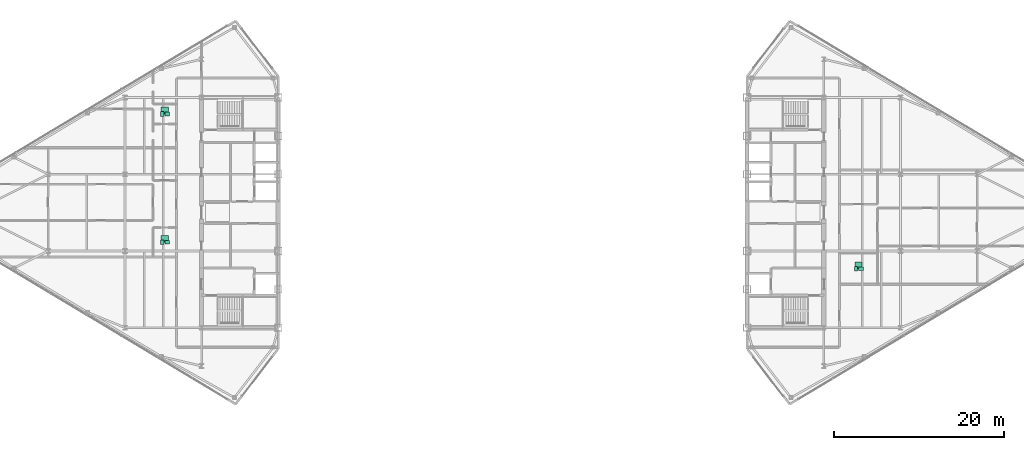
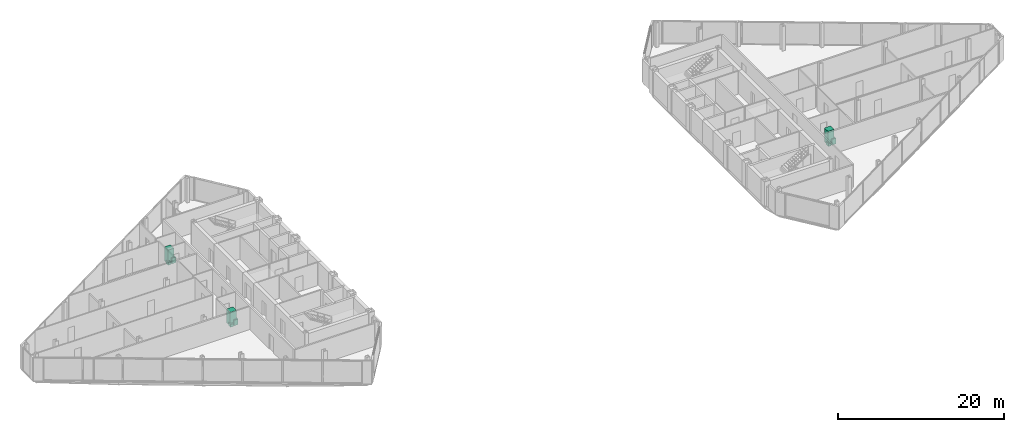
# One storey, part 25 of 25: 9 sanitary terminals.
"""IFC4 building model written with IfcOpenShell, lengths in metres."""

from ifc_helpers import new_model, si_unit, direction, frame, origin, origin_2d, place, context, subcontext, project, spatial, rectangle, extrude, source, transform, mapped, material, type_object, type_shapes, element, save


model = new_model("IFC4")

# Units and contexts
model_context = context("Model", 3, precision=1e-05, world=origin(), true_north=direction((0.0, 1.0)))
body_context = subcontext(model_context, "Body", "Model", "MODEL_VIEW")
ifc_project = project(units=[si_unit("LENGTHUNIT", "METRE"), si_unit("AREAUNIT", "SQUARE_METRE"), si_unit("VOLUMEUNIT", "CUBIC_METRE"), si_unit("PLANEANGLEUNIT", "RADIAN"), si_unit("MASSUNIT", "GRAM", prefix="KILO")], contexts=[model_context])

# Site, building, storey
site_placement = place(None, origin())
site = spatial("IfcSite", under=ifc_project, at=site_placement, CompositionType="ELEMENT")
building_placement = place(site_placement, origin())
building = spatial("IfcBuilding", under=site, at=building_placement, Name="Seokmaru Belvedere", CompositionType="ELEMENT")
storey_placement = place(building_placement, frame((0.0, 0.0, 213.89990234375)))
storey = spatial("IfcBuildingStorey", under=building, at=storey_placement, Name="L57", CompositionType="ELEMENT", Elevation=213.89990234375)

# Sanitary terminals
ifc_material_1 = material(Name="Vitreous China Sanitaryware")
sanitary_terminal_type_1 = type_object("IfcSanitaryTerminalType", Name="Wall-Hung Vitreous China WC Pan", PredefinedType="TOILETPAN", material=ifc_material_1)
shared_shape_1 = source(origin(), body_context, "Body", "SweptSolid", [
    extrude(rectangle(XDim=0.3798828125, YDim=0.56005859375, at=origin_2d()), origin(), (0.0, 0.0, 1.0), 0.419921875),
])
type_shapes(sanitary_terminal_type_1, [shared_shape_1])
for number, where, z_axis, x_axis, name in (
    (1, (-41.125, -3.472900390625, 0.000244140625), (0.0, 0.0, 1.0), (1.0, 0.0, 0.0), "L57 Vitreous China WC 0265"),
    (2, (-41.125, 11.570068359375, 0.000244140625), (0.0, 0.0, 1.0), (1.0, 0.0, 0.0), "L57 Vitreous China WC 0266"),
    (3, (40.27490234375, -6.592041015625, 0.000244140625), (0.0, 0.0, 1.0), (1.0, 0.0, 0.0), "L57 Vitreous China WC 0267"),
):
    element("IfcSanitaryTerminal", number, at=place(storey_placement, frame(where, z_axis=z_axis, x_axis=x_axis)), inside=storey, type_object=sanitary_terminal_type_1, Name=name, PredefinedType="TOILETPAN", context=body_context, shape_type="MappedRepresentation", body=[
        mapped(shared_shape_1, transform((0.0, 0.0, 0.0), scale=1.0)),
    ])
sanitary_terminal_type_2 = type_object("IfcSanitaryTerminalType", Name="Countertop Ceramic Washhand Basin", PredefinedType="WASHHANDBASIN", material=ifc_material_1)
shared_shape_2 = source(origin(), body_context, "Body", "SweptSolid", [
    extrude(rectangle(XDim=0.550048828125, YDim=0.449951171875, at=origin_2d()), origin(), (0.0, 0.0, 1.0), 0.820068359375),
])
type_shapes(sanitary_terminal_type_2, [shared_shape_2])
for number, where, z_axis, x_axis, name in (
    (4, (-40.52490234375, -3.472900390625, 0.0), (0.0, 0.0, 1.0), (1.0, 0.0, 0.0), "L57 Ceramic Washhand Basin 0265"),
    (5, (-40.52490234375, 11.570068359375, 0.0), (0.0, 0.0, 1.0), (1.0, 0.0, 0.0), "L57 Ceramic Washhand Basin 0266"),
    (6, (40.875, -6.592041015625, 0.0), (0.0, 0.0, 1.0), (1.0, 0.0, 0.0), "L57 Ceramic Washhand Basin 0267"),
):
    element("IfcSanitaryTerminal", number, at=place(storey_placement, frame(where, z_axis=z_axis, x_axis=x_axis)), inside=storey, type_object=sanitary_terminal_type_2, Name=name, PredefinedType="WASHHANDBASIN", context=body_context, shape_type="MappedRepresentation", body=[
        mapped(shared_shape_2, transform((0.0, 0.0, 0.0), scale=1.0)),
    ])
ifc_material_2 = material(Name="Stainless Steel 316", Category="steel")
sanitary_terminal_type_3 = type_object("IfcSanitaryTerminalType", Name="Walk-In Thermostatic Rain Shower Enclosure", PredefinedType="SHOWER", material=ifc_material_2)
shared_shape_3 = source(origin(), body_context, "Body", "SweptSolid", [
    extrude(rectangle(XDim=0.85009765625, YDim=0.85009765625, at=origin_2d()), origin(), (0.0, 0.0, 1.0), 2.050048828125),
])
type_shapes(sanitary_terminal_type_3, [shared_shape_3])
for number, where, z_axis, x_axis, name in (
    (7, (-40.824951171875, -3.093017578125, 0.0), (0.0, 0.0, 1.0), (1.0, 0.0, 0.0), "L57 Walk-In Shower 0265"),
    (8, (-40.824951171875, 11.949951171875, 0.0), (0.0, 0.0, 1.0), (1.0, 0.0, 0.0), "L57 Walk-In Shower 0266"),
    (9, (40.574951171875, -6.2119140625, 0.0), (0.0, 0.0, 1.0), (1.0, 0.0, 0.0), "L57 Walk-In Shower 0267"),
):
    element("IfcSanitaryTerminal", number, at=place(storey_placement, frame(where, z_axis=z_axis, x_axis=x_axis)), inside=storey, type_object=sanitary_terminal_type_3, Name=name, PredefinedType="SHOWER", context=body_context, shape_type="MappedRepresentation", body=[
        mapped(shared_shape_3, transform((0.0, 0.0, 0.0), scale=1.0)),
    ])

save(model, "model.ifc")
